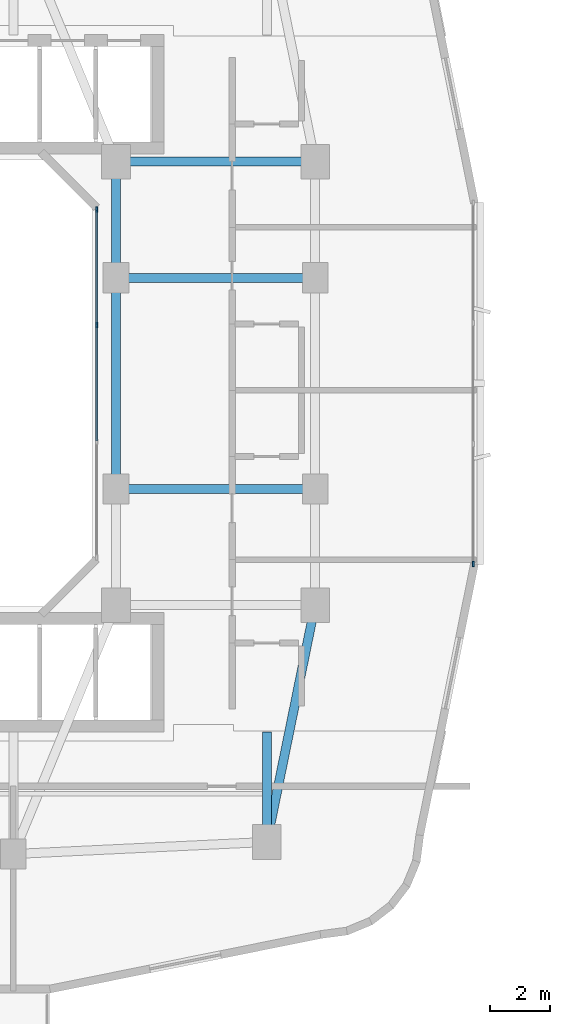
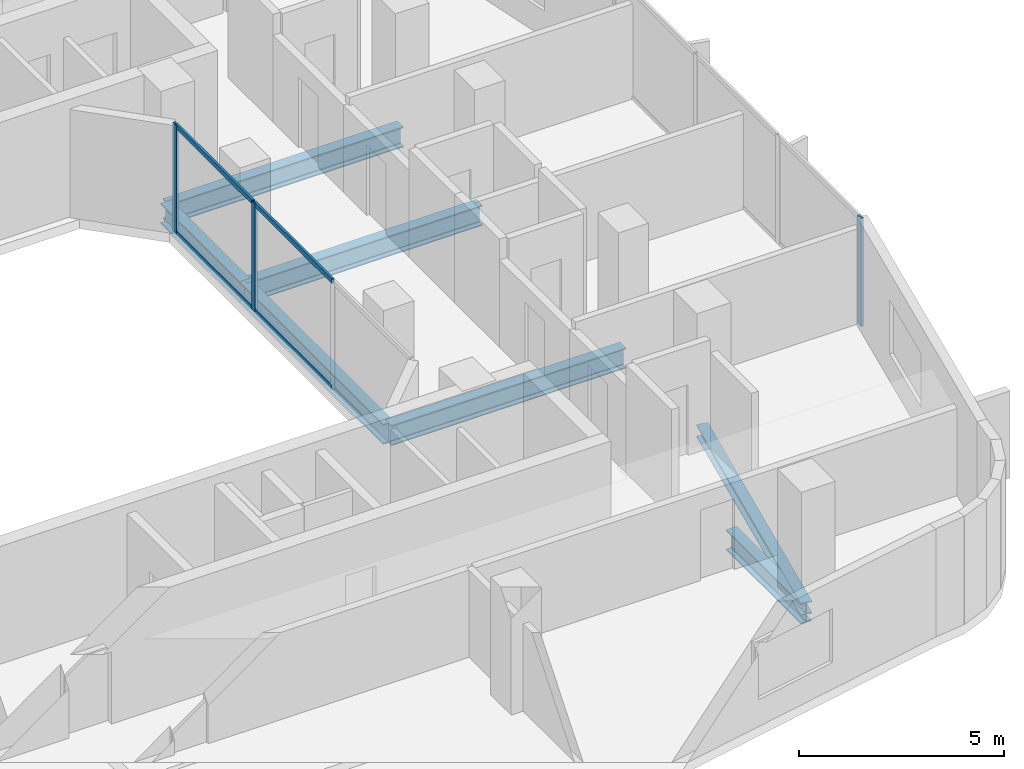
# One storey, part 4 of 26: 7 beams, 7 members, 2 elements without a shape of their own.
"""IFC4 building model written with IfcOpenShell, lengths in metres."""

import ifcopenshell
import ifcopenshell.guid

model = None  # the IFC model being written
_history = None  # IfcOwnerHistory: only IFC2X3 demands one
_inside = {}  # id of a spatial element -> (the spatial element, [elements in it])
_under = {}  # id of a project, library or spatial element -> (it, [spatial elements below it])
_declared = {}  # id of a project -> (the project, [libraries it declares])
_typed = {}  # id of a type object -> (the type object, [elements of that type])
_made_of = {}  # id of a material, layer set ... -> (it, [elements and type objects made of it])


def new_model(schema):
    """Start an empty IFC model of exactly this schema.

    Asked for "IFC4X3", IfcOpenShell would pick the latest addendum, in which some entities
    have other attributes; the version numbers below select the first issue.
    IFC2X3 requires an IfcOwnerHistory on every rooted entity: one is made here for all.
    """
    global model, _history
    if schema == "IFC4X3":
        model = ifcopenshell.file(schema_version=(4, 3, 0, 0))
    else:
        model = ifcopenshell.file(schema=schema)
    _inside.clear()
    _under.clear()
    _declared.clear()
    _typed.clear()
    _made_of.clear()
    _history = None
    if model.schema == "IFC2X3":
        org = make("IfcOrganization", Name="unknown")
        user = make(
            "IfcPersonAndOrganization",
            ThePerson=make("IfcPerson", FamilyName="unknown"),
            TheOrganization=org,
        )
        app = make(
            "IfcApplication",
            ApplicationDeveloper=org,
            Version="unknown",
            ApplicationFullName="unknown",
            ApplicationIdentifier="unknown",
        )
        _history = make(
            "IfcOwnerHistory",
            OwningUser=user,
            OwningApplication=app,
            ChangeAction="ADDED",
            CreationDate=0,
        )
    return model


def make(cls, **values):
    """One entity of the class cls with the attributes given. An attribute that is None is left unset."""
    return model.create_entity(
        cls, **{name: value for name, value in values.items() if value is not None}
    )


def rooted(cls, **values):
    """An entity with a GlobalId (a new one), such as an element, a storey or a relation."""
    return make(cls, GlobalId=ifcopenshell.guid.new(), OwnerHistory=_history, **values)


def si_unit(unit_type, name, prefix=None):
    """IfcSIUnit, for example si_unit("LENGTHUNIT", "METRE", prefix="MILLI")."""
    return make("IfcSIUnit", UnitType=unit_type, Prefix=prefix, Name=name)


def derived_unit(unit_type, elements):
    """IfcDerivedUnit: a product of units, each with its exponent."""
    return make(
        "IfcDerivedUnit",
        Elements=[
            make("IfcDerivedUnitElement", Unit=unit, Exponent=power)
            for unit, power in elements
        ],
        UnitType=unit_type,
    )


def assignment(units):
    """IfcUnitAssignment: the units of a project."""
    return None if units is None else make("IfcUnitAssignment", Units=units)


def point(xyz):
    """IfcCartesianPoint."""
    return None if xyz is None else make("IfcCartesianPoint", Coordinates=xyz)


def direction(xyz):
    """IfcDirection."""
    return None if xyz is None else make("IfcDirection", DirectionRatios=xyz)


def frame(location, z_axis=None, x_axis=None):
    """IfcAxis2Placement3D, a coordinate frame: its origin and axes. An axis left out is left unset."""
    return make(
        "IfcAxis2Placement3D",
        Location=point(location),
        Axis=direction(z_axis),
        RefDirection=direction(x_axis),
    )


def frame_2d(location, x_axis=None):
    """IfcAxis2Placement2D, a coordinate frame in the plane: its origin and x axis."""
    return make(
        "IfcAxis2Placement2D", Location=point(location), RefDirection=direction(x_axis)
    )


def origin():
    """The frame at (0, 0, 0) with its axes left unset."""
    return frame((0.0, 0.0, 0.0))


def origin_2d():
    """The frame at (0, 0) in the plane with its x axis left unset."""
    return frame_2d((0.0, 0.0))


def place(relative_to, where):
    """IfcLocalPlacement: puts the frame where relative to a parent placement (None: the world)."""
    return make(
        "IfcLocalPlacement", PlacementRelTo=relative_to, RelativePlacement=where
    )


def context(
    kind, dimensions, precision=None, world=None, true_north=None, identifier=None
):
    """IfcGeometricRepresentationContext, for example the 3D "Model" context."""
    return make(
        "IfcGeometricRepresentationContext",
        ContextIdentifier=identifier,
        ContextType=kind,
        CoordinateSpaceDimension=dimensions,
        Precision=precision,
        WorldCoordinateSystem=world,
        TrueNorth=true_north,
    )


def subcontext(parent, identifier, kind, view, scale=None):
    """IfcGeometricRepresentationSubContext, for example "Body" below "Model"."""
    return make(
        "IfcGeometricRepresentationSubContext",
        ContextIdentifier=identifier,
        ContextType=kind,
        ParentContext=parent,
        TargetScale=scale,
        TargetView=view,
    )


def project(units=None, contexts=None):
    """IfcProject with its units and contexts."""
    return rooted(
        "IfcProject",
        Name="project",
        RepresentationContexts=contexts,
        UnitsInContext=assignment(units),
    )


def spatial(cls, under=None, at=None, **own):
    """A site, building, storey or space (cls), placed at a placement, below another one or the project."""
    s = rooted(cls, ObjectPlacement=at, **own)
    if under is not None:
        _under.setdefault(under.id(), (under, []))[1].append(s)
    return s


def profile(cls, at=None, kind="AREA", **sizes):
    """A parametric profile (cls). Its sizes go by their IFC names, for example OverallWidth=200.0."""
    return make(cls, ProfileType=kind, Position=at, **sizes)


def rectangle(**sizes):
    """IfcRectangleProfileDef."""
    return profile("IfcRectangleProfileDef", **sizes)


def i_section(**sizes):
    """IfcIShapeProfileDef."""
    return profile("IfcIShapeProfileDef", **sizes)


def extrude(swept, where, along, depth):
    """IfcExtrudedAreaSolid: the profile swept, set in the frame where, extruded along a direction by depth."""
    return make(
        "IfcExtrudedAreaSolid",
        SweptArea=swept,
        Position=where,
        ExtrudedDirection=direction(along),
        Depth=depth,
    )


def shape(context_of_items, identifier, shape_type, items):
    """IfcShapeRepresentation: the items that make up one representation, for example the "Body"."""
    return make(
        "IfcShapeRepresentation",
        ContextOfItems=context_of_items,
        RepresentationIdentifier=identifier,
        RepresentationType=shape_type,
        Items=items,
    )


def material(Name=None, Category=None):
    """IfcMaterial."""
    return make("IfcMaterial", Name=Name, Category=Category)


def layer(
    of_material, thickness, ventilated=None, Name=None, Category=None, Priority=None
):
    """IfcMaterialLayer: one layer of a wall or slab, of a material (None: an air gap)."""
    return make(
        "IfcMaterialLayer",
        Material=of_material,
        LayerThickness=thickness,
        IsVentilated=ventilated,
        Name=Name,
        Category=Category,
        Priority=Priority,
    )


def layer_set(layers, Name=None):
    """IfcMaterialLayerSet."""
    return make("IfcMaterialLayerSet", MaterialLayers=layers, LayerSetName=Name)


def material_profile(
    of_material, cross_section, Name=None, Category=None, Priority=None
):
    """IfcMaterialProfile: a cross section and its material."""
    return make(
        "IfcMaterialProfile",
        Name=Name,
        Material=of_material,
        Profile=cross_section,
        Priority=Priority,
        Category=Category,
    )


def profile_set(profiles, Name=None, composite=None):
    """IfcMaterialProfileSet."""
    return make(
        "IfcMaterialProfileSet",
        Name=Name,
        MaterialProfiles=profiles,
        CompositeProfile=composite,
    )


def made_of(thing, what):
    """Note that an element or type object is made of a material, layer set ...; save() writes the relation."""
    if what is not None:
        _made_of.setdefault(what.id(), (what, []))[1].append(thing)
    return thing


def type_object(cls, material=None, **own):
    """A type object (cls), such as IfcWallType, which elements share."""
    return made_of(rooted(cls, **own), material)


def element(
    cls,
    number,
    at=None,
    inside=None,
    cuts=None,
    type_object=None,
    material=None,
    context=None,
    identifier="Body",
    shape_type=None,
    held_by="IfcProductDefinitionShape",
    body=None,
    shapes=None,
    **own,
):
    """One element of the class cls, such as IfcWall. Its Tag is "e" and its number.

    at: its placement. inside: the storey or other place that contains it. cuts: it is an
    opening in that element (IfcRelVoidsElement). A single representation is given by context,
    identifier, shape_type and body (its items); several are given by shapes. held_by: the class
    of the entity that holds the representations. save() writes the other relations.
    """
    e = rooted(cls, Tag="e%d" % number, ObjectPlacement=at, **own)
    if body is not None:
        shapes = [shape(context, identifier, shape_type, body)]
    if shapes is not None:
        e.Representation = make(held_by, Representations=shapes)
    if inside is not None:
        _inside.setdefault(inside.id(), (inside, []))[1].append(e)
    if cuts is not None:
        rooted(
            "IfcRelVoidsElement", RelatingBuildingElement=cuts, RelatedOpeningElement=e
        )
    if type_object is not None:
        _typed.setdefault(type_object.id(), (type_object, []))[1].append(e)
    return made_of(e, material)


def aggregate(whole, parts):
    """IfcRelAggregates: a whole, such as a stair, and the parts it consists of."""
    return rooted("IfcRelAggregates", RelatingObject=whole, RelatedObjects=parts)


def save(model, path):
    """Write the relations noted so far, then the file.

    IfcRelAggregates (storeys below a building ...), IfcRelContainedInSpatialStructure (elements
    in a storey), IfcRelDefinesByType, IfcRelAssociatesMaterial and IfcRelDeclares: one each for
    every whole, place, type object, material and project.
    """
    for whole, parts in _under.values():
        aggregate(whole, parts)
    for where, things in _inside.values():
        rooted(
            "IfcRelContainedInSpatialStructure",
            RelatedElements=things,
            RelatingStructure=where,
        )
    for kind, things in _typed.values():
        rooted("IfcRelDefinesByType", RelatedObjects=things, RelatingType=kind)
    for what, things in _made_of.values():
        rooted("IfcRelAssociatesMaterial", RelatedObjects=things, RelatingMaterial=what)
    for by, libraries in _declared.values():
        rooted("IfcRelDeclares", RelatingContext=by, RelatedDefinitions=libraries)
    model.write(path)


model = new_model("IFC4")

# Units and contexts
model_context = context("Model", 3, precision=1e-05, world=origin(), true_north=direction((0.0, 1.0)))
body_context = subcontext(model_context, "Body", "Model", "MODEL_VIEW")
ifc_project = project(units=[si_unit("LENGTHUNIT", "METRE"), si_unit("AREAUNIT", "SQUARE_METRE"), si_unit("VOLUMEUNIT", "CUBIC_METRE"), si_unit("PLANEANGLEUNIT", "RADIAN"), si_unit("MASSUNIT", "GRAM", prefix="KILO"), derived_unit("THERMALTRANSMITTANCEUNIT", [(si_unit("POWERUNIT", "WATT"), 1), (si_unit("LENGTHUNIT", "METRE"), -2), (si_unit("THERMODYNAMICTEMPERATUREUNIT", "KELVIN"), -1)])], contexts=[model_context])

# Site, building, storey
site_placement = place(None, origin())
site = spatial("IfcSite", under=ifc_project, at=site_placement, CompositionType="ELEMENT")
building_placement = place(site_placement, origin())
building = spatial("IfcBuilding", under=site, at=building_placement, Name="Kivonza Crest Hotel", CompositionType="ELEMENT")
storey_placement = place(building_placement, frame((0.0, 0.0, 95.0)))
storey = spatial("IfcBuildingStorey", under=building, at=storey_placement, Name="L25", CompositionType="ELEMENT", Elevation=95.0)

# Beams
ifc_material_1 = material(Name="Steel S355", Category="steel")
ifc_material_profile_1 = material_profile(ifc_material_1, i_section(OverallWidth=0.300048828125, OverallDepth=0.360107421875, WebThickness=0.012451171875, FlangeThickness=0.0224609375, FilletRadius=0.027099609375, at=origin_2d()), Name="HEB 360")
ifc_profile_set_1 = profile_set([ifc_material_profile_1], Name="Steel S355")
beam_type_1 = type_object("IfcBeamType", Name="BM-HEB360", PredefinedType="SPANDREL", material=ifc_profile_set_1)
beam_1_placement = place(storey_placement, frame((34.199951171875, 9.800048828125, -0.4599609375), z_axis=(0.199730733965, 0.979850822273, 0.0), x_axis=(-0.979850822273, 0.199730733965, 0.0)))
element("IfcBeam", 1, at=beam_1_placement, inside=storey, type_object=beam_type_1, Name="Tower T1 L25 perimeter spandrel SE-PSE", PredefinedType="SPANDREL", context=body_context, shape_type="SweptSolid", body=[
    extrude(i_section(OverallWidth=0.300048828125, OverallDepth=0.360107421875, WebThickness=0.012451171875, FlangeThickness=0.0224609375, FilletRadius=0.027099609375, at=origin_2d()), origin(), (0.0, 0.0, 1.0), 8.01123046875),
])
ifc_material_profile_2 = material_profile(ifc_material_1, i_section(OverallWidth=0.300048828125, OverallDepth=0.60009765625, WebThickness=0.015380859375, FlangeThickness=0.030029296875, FilletRadius=0.027099609375, at=origin_2d()), Name="HEB 600")
ifc_profile_set_2 = profile_set([ifc_material_profile_2], Name="Steel S355")
beam_type_2 = type_object("IfcBeamType", Name="BM-HEB600", PredefinedType="BEAM", material=ifc_profile_set_2)
beam_2_placement = place(storey_placement, frame((29.199951171875, 32.35009765625, -0.580078125), z_axis=(1.0, 0.0, 0.0), x_axis=(0.0, 1.0, 0.0)))
element("IfcBeam", 2, at=beam_2_placement, inside=storey, type_object=beam_type_2, Name="Tower T1 L25 primary girder TNE-PNE", PredefinedType="BEAM", context=body_context, shape_type="SweptSolid", body=[
    extrude(i_section(OverallWidth=0.300048828125, OverallDepth=0.60009765625, WebThickness=0.015380859375, FlangeThickness=0.030029296875, FilletRadius=0.027099609375, at=origin_2d()), origin(), (0.0, 0.0, 1.0), 6.60009765625),
])
beam_3_placement = place(storey_placement, frame((29.199951171875, 21.5, -0.580078125), z_axis=(0.0, 1.0, 0.0), x_axis=(-1.0, 0.0, 0.0)))
element("IfcBeam", 3, at=beam_3_placement, inside=storey, type_object=beam_type_2, Name="Tower T1 L25 primary girder WR1-WR2", PredefinedType="BEAM", context=body_context, shape_type="SweptSolid", body=[
    extrude(i_section(OverallWidth=0.300048828125, OverallDepth=0.60009765625, WebThickness=0.015380859375, FlangeThickness=0.030029296875, FilletRadius=0.027099609375, at=origin_2d()), origin(), (0.0, 0.0, 1.0), 7.0),
])
beam_4_placement = place(storey_placement, frame((29.199951171875, 28.5, -0.580078125), z_axis=(0.0, 1.0, 0.0), x_axis=(-1.0, 0.0, 0.0)))
element("IfcBeam", 4, at=beam_4_placement, inside=storey, type_object=beam_type_2, Name="Tower T1 L25 primary girder WR2-TNE", PredefinedType="BEAM", context=body_context, shape_type="SweptSolid", body=[
    extrude(i_section(OverallWidth=0.300048828125, OverallDepth=0.60009765625, WebThickness=0.015380859375, FlangeThickness=0.030029296875, FilletRadius=0.027099609375, at=origin_2d()), origin(), (0.0, 0.0, 1.0), 3.85009765625),
])
for number, where, z_axis, x_axis, name in (
    (5, (29.199951171875, 21.5, -0.580078125), (1.0, 0.0, 0.0), (0.0, 1.0, 0.0), "Tower T1 L25 primary girder WR1-E1"),
    (6, (29.199951171875, 28.5, -0.580078125), (1.0, 0.0, 0.0), (0.0, 1.0, 0.0), "Tower T1 L25 primary girder WR2-E2"),
):
    element("IfcBeam", number, at=place(storey_placement, frame(where, z_axis=z_axis, x_axis=x_axis)), inside=storey, type_object=beam_type_2, Name=name, PredefinedType="BEAM", context=body_context, shape_type="SweptSolid", body=[
        extrude(i_section(OverallWidth=0.300048828125, OverallDepth=0.60009765625, WebThickness=0.015380859375, FlangeThickness=0.030029296875, FilletRadius=0.027099609375, at=origin_2d()), origin(), (0.0, 0.0, 1.0), 6.60009765625),
    ])
beam_5_placement = place(storey_placement, frame((34.199951171875, 9.800048828125, -0.580078125), z_axis=(0.0, 1.0, 0.0), x_axis=(-1.0, 0.0, 0.0)))
element("IfcBeam", 7, at=beam_5_placement, inside=storey, type_object=beam_type_2, Name="Tower T1 L25 radial core girder RSE", PredefinedType="BEAM", context=body_context, shape_type="SweptSolid", body=[
    extrude(i_section(OverallWidth=0.300048828125, OverallDepth=0.60009765625, WebThickness=0.015380859375, FlangeThickness=0.030029296875, FilletRadius=0.027099609375, at=origin_2d()), origin(), (0.0, 0.0, 1.0), 3.64990234375),
])

# Curtain wall, member
ifc_material_2 = material(Name="Anodised bronze aluminium and low-E double glazing", Category="aluminium")
ifc_layer_1 = layer(ifc_material_2, 0.179931640625)
ifc_layer_set_1 = layer_set([ifc_layer_1], Name="Anodised bronze aluminium and low-E double glazing")
curtain_wall_type_1 = type_object("IfcCurtainWallType", Name="CW-SYS-2", PredefinedType="NOTDEFINED", material=ifc_layer_set_1)
curtain_wall_1_placement = place(storey_placement, origin())
curtain_wall_1 = element("IfcCurtainWall", 8, at=curtain_wall_1_placement, inside=storey, type_object=curtain_wall_type_1, Name="L25 unitised curtain wall CW-T1-L25-17", PredefinedType="NOTDEFINED")
ifc_material_3 = material(Name="Anodised bronze aluminium", Category="aluminium")
ifc_material_profile_3 = material_profile(ifc_material_3, rectangle(XDim=0.06494140625, YDim=0.179931640625, at=origin_2d()), Name="CW-M 65x180")
ifc_profile_set_3 = profile_set([ifc_material_profile_3], Name="Anodised bronze aluminium")
member_type_1 = type_object("IfcMemberType", Name="CW-MUL-65x180", PredefinedType="MULLION", material=ifc_profile_set_3)
member_1_placement = place(storey_placement, frame((41.0400390625, 19.012451171875, 0.0), z_axis=(0.0, 0.0, 1.0), x_axis=(-1.0, 0.0, 0.0)))
member_1 = element("IfcMember", 9, at=member_1_placement, type_object=member_type_1, Name="CW-2 mullion 1", PredefinedType="MULLION", context=body_context, shape_type="SweptSolid", body=[
    extrude(rectangle(XDim=0.06494140625, YDim=0.179931640625, at=origin_2d()), origin(), (0.0, 0.0, 1.0), 3.219970703125),
])
aggregate(curtain_wall_1, [member_1])

# Curtain wall, members
ifc_layer_2 = layer(ifc_material_2, 0.159912109375)
ifc_layer_set_2 = layer_set([ifc_layer_2], Name="Anodised bronze aluminium and low-E double glazing")
curtain_wall_type_2 = type_object("IfcCurtainWallType", Name="CW-SYS-5", PredefinedType="NOTDEFINED", material=ifc_layer_set_2)
curtain_wall_2_placement = place(storey_placement, origin())
curtain_wall_2 = element("IfcCurtainWall", 10, at=curtain_wall_2_placement, inside=storey, type_object=curtain_wall_type_2, Name="L25 unitised curtain wall CW-WELL-T1-L25-3", PredefinedType="NOTDEFINED")
member_2_placement = place(storey_placement, frame((28.56005859375, 26.933349609375, 0.0), z_axis=(0.0, 0.0, 1.0), x_axis=(-1.0, 0.0, 0.0)))
member_2 = element("IfcMember", 11, at=member_2_placement, type_object=member_type_1, Name="CW-5 mullion 3", PredefinedType="MULLION", context=body_context, shape_type="SweptSolid", body=[
    extrude(rectangle(XDim=0.06494140625, YDim=0.179931640625, at=origin_2d()), origin(), (0.0, 0.0, 1.0), 3.219970703125),
])
member_3_placement = place(storey_placement, frame((28.56005859375, 30.767578125, 0.0), z_axis=(0.0, 0.0, 1.0), x_axis=(-1.0, 0.0, 0.0)))
member_3 = element("IfcMember", 12, at=member_3_placement, type_object=member_type_1, Name="CW-5 mullion 4", PredefinedType="MULLION", context=body_context, shape_type="SweptSolid", body=[
    extrude(rectangle(XDim=0.06494140625, YDim=0.179931640625, at=origin_2d()), origin(), (0.0, 0.0, 1.0), 3.219970703125),
])
ifc_material_profile_4 = material_profile(ifc_material_3, rectangle(XDim=0.06494140625, YDim=0.139892578125, at=origin_2d()), Name="CW-T 65x140")
ifc_profile_set_4 = profile_set([ifc_material_profile_4], Name="Anodised bronze aluminium")
member_type_2 = type_object("IfcMemberType", Name="CW-TRN-65x140", PredefinedType="USERDEFINED", material=ifc_profile_set_4)
member_4_placement = place(storey_placement, frame((28.56005859375, 23.09912109375, 0.032470703125), z_axis=(0.0, 1.0, 0.0), x_axis=(-1.0, 0.0, 0.0)))
member_4 = element("IfcMember", 13, at=member_4_placement, type_object=member_type_2, Name="CW-5 transom 2.1", ObjectType="TRANSOM", PredefinedType="USERDEFINED", context=body_context, shape_type="SweptSolid", body=[
    extrude(rectangle(XDim=0.06494140625, YDim=0.139892578125, at=origin_2d()), origin(), (0.0, 0.0, 1.0), 3.8017578125),
])
member_5_placement = place(storey_placement, frame((28.56005859375, 23.09912109375, 3.1875), z_axis=(0.0, 1.0, 0.0), x_axis=(-1.0, 0.0, 0.0)))
member_5 = element("IfcMember", 14, at=member_5_placement, type_object=member_type_2, Name="CW-5 transom 2.2", ObjectType="TRANSOM", PredefinedType="USERDEFINED", context=body_context, shape_type="SweptSolid", body=[
    extrude(rectangle(XDim=0.06494140625, YDim=0.139892578125, at=origin_2d()), origin(), (0.0, 0.0, 1.0), 3.8017578125),
])
member_6_placement = place(storey_placement, frame((28.56005859375, 26.9658203125, 0.032470703125), z_axis=(0.0, 1.0, 0.0), x_axis=(-1.0, 0.0, 0.0)))
member_6 = element("IfcMember", 15, at=member_6_placement, type_object=member_type_2, Name="CW-5 transom 3.1", ObjectType="TRANSOM", PredefinedType="USERDEFINED", context=body_context, shape_type="SweptSolid", body=[
    extrude(rectangle(XDim=0.06494140625, YDim=0.139892578125, at=origin_2d()), origin(), (0.0, 0.0, 1.0), 3.769287109375),
])
member_7_placement = place(storey_placement, frame((28.56005859375, 26.9658203125, 3.1875), z_axis=(0.0, 1.0, 0.0), x_axis=(-1.0, 0.0, 0.0)))
member_7 = element("IfcMember", 16, at=member_7_placement, type_object=member_type_2, Name="CW-5 transom 3.2", ObjectType="TRANSOM", PredefinedType="USERDEFINED", context=body_context, shape_type="SweptSolid", body=[
    extrude(rectangle(XDim=0.06494140625, YDim=0.139892578125, at=origin_2d()), origin(), (0.0, 0.0, 1.0), 3.769287109375),
])
aggregate(curtain_wall_2, [member_2, member_3, member_4, member_5, member_6, member_7])

save(model, "model.ifc")
